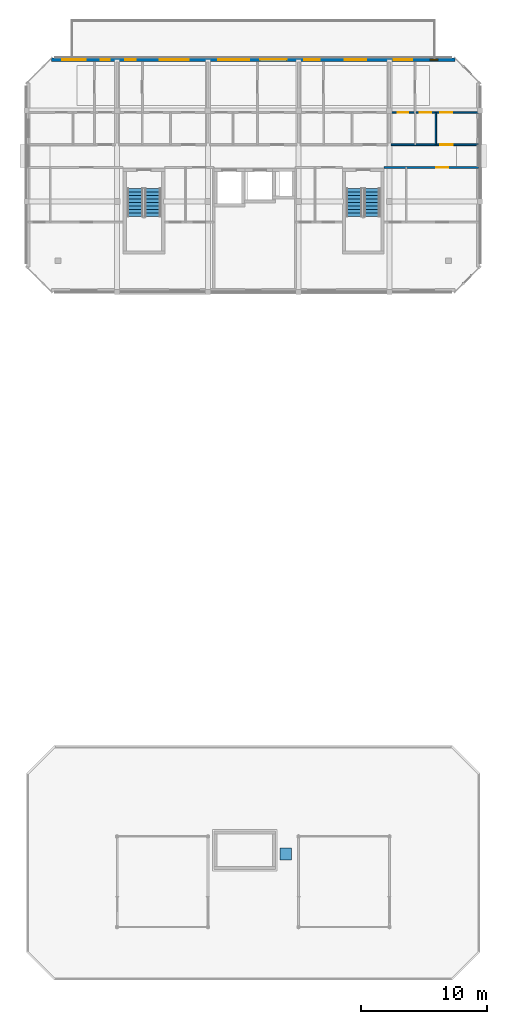
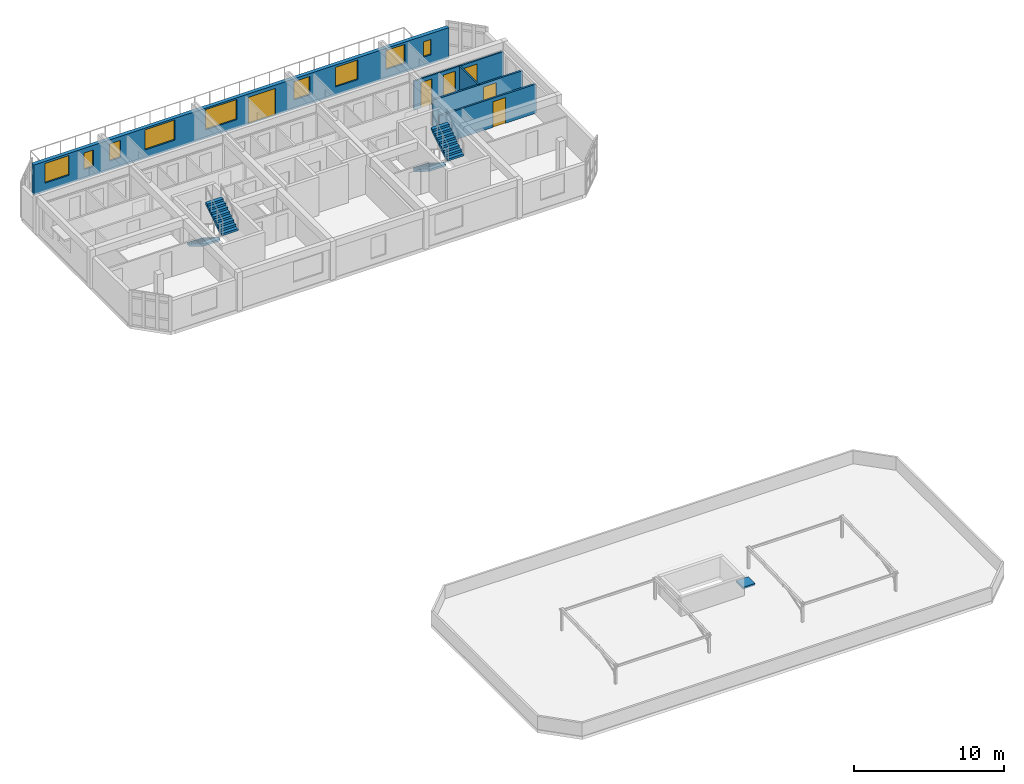
# One storey, part 13 of 16: 9 windows, 6 doors, 5 walls, 4 stair flights, 1 discrete accessory, 15 openings, 2 elements without a shape of their own.
"""IFC4 building model written with IfcOpenShell, lengths in metres."""

from ifc_helpers import new_model, si_unit, direction, frame, frame_2d, origin, origin_2d, place, context, subcontext, project, spatial, polyline, rectangle, outline, extrude, material, layer, layer_set, type_object, element, fill, aggregate, save


model = new_model("IFC4")

# Units and contexts
model_context = context("Model", 3, precision=1e-05, world=origin(), true_north=direction((0.0, 1.0)))
body_context = subcontext(model_context, "Body", "Model", "MODEL_VIEW")
ifc_project = project(units=[si_unit("LENGTHUNIT", "METRE"), si_unit("AREAUNIT", "SQUARE_METRE"), si_unit("VOLUMEUNIT", "CUBIC_METRE"), si_unit("PLANEANGLEUNIT", "RADIAN"), si_unit("MASSUNIT", "GRAM", prefix="KILO")], contexts=[model_context])

# Site, building, storey
site_placement = place(None, origin())
site = spatial("IfcSite", under=ifc_project, at=site_placement, CompositionType="ELEMENT")
building_placement = place(site_placement, origin())
building = spatial("IfcBuilding", under=site, at=building_placement, Name="Ochrevale Crest", CompositionType="ELEMENT")
storey_placement = place(building_placement, frame((0.0, 0.0, 46.5)))
storey = spatial("IfcBuildingStorey", under=building, at=storey_placement, Name="L14", CompositionType="ELEMENT", Elevation=46.5)

# Wall, opening, door
ifc_material_1 = material(Name="Gypsum plasterboard", Category="gypsum")
ifc_layer_1 = layer(ifc_material_1, 0.139892578125)
ifc_layer_set_1 = layer_set([ifc_layer_1], Name="Gypsum plasterboard")
wall_type_1 = type_object("IfcWallType", Name="WL-COR-140", PredefinedType="PARTITIONING", material=ifc_layer_set_1)
wall_1_placement = place(storey_placement, frame((158.5400390625, 83.699951171875, 0.0), z_axis=(0.0, 0.0, 1.0), x_axis=(1.0, 0.0, 0.0)))
wall_1 = element("IfcWall", 1, at=wall_1_placement, inside=storey, type_object=wall_type_1, Name="Apartment D-L14-U5 corridor wall", PredefinedType="PARTITIONING", context=body_context, shape_type="SweptSolid", body=[
    extrude(rectangle(XDim=6.919921875, YDim=0.139892578125, at=frame_2d((3.4599609375, 0.0))), origin(), (0.0, 0.0, 1.0), 2.3798828125),
])
opening_1_placement = place(wall_1_placement, frame((4.875, 0.0, 0.0), z_axis=(0.0, 0.0, 1.0), x_axis=(-1.0, 0.0, 0.0)))
opening_1 = element("IfcOpeningElement", 2, at=opening_1_placement, cuts=wall_1, Name="Opening FD01", PredefinedType="OPENING", context=body_context, shape_type="SweptSolid", body=[
    extrude(rectangle(XDim=0.97998046875, YDim=2.10009765625, at=frame_2d((0.489990234375, 1.050048828125))), frame((0.0, 0.080078125, 0.0), z_axis=(0.0, -1.0, 0.0), x_axis=(1.0, 0.0, 0.0)), (0.0, 0.0, 1.0), 0.159912109375),
])
ifc_material_2 = material(Name="Solid-core FSC hardwood", Category="wood")
door_type_1 = type_object("IfcDoorType", Name="DR-APT-950", OperationType="NOTDEFINED", PredefinedType="DOOR", material=ifc_material_2)
door_1_placement = place(opening_1_placement, origin())
door_1 = element("IfcDoor", 3, at=door_1_placement, inside=storey, type_object=door_type_1, Name="Apartment D-L14-U5 entrance door", OperationType="SINGLE_SWING_RIGHT", OverallHeight=2.10009765625, OverallWidth=0.97998046875, PredefinedType="DOOR", context=body_context, shape_type="SweptSolid", body=[
    extrude(rectangle(XDim=0.97998046875, YDim=2.10009765625, at=frame_2d((0.489990234375, 1.050048828125))), frame((0.0, 0.02490234375, 0.0), z_axis=(0.0, -1.0, 0.0), x_axis=(1.0, 0.0, 0.0)), (0.0, 0.0, 1.0), 0.050048828125),
])
fill(opening_1, door_1)

wall_2_placement = place(storey_placement, frame((157.989990234375, 81.89990234375, 0.0), z_axis=(0.0, 0.0, 1.0), x_axis=(1.0, 0.0, 0.0)))
wall_2 = element("IfcWall", 4, at=wall_2_placement, inside=storey, type_object=wall_type_1, Name="Suite D-L14-CE corridor wall", PredefinedType="PARTITIONING", context=body_context, shape_type="SweptSolid", body=[
    extrude(rectangle(XDim=7.469970703125, YDim=0.139892578125, at=frame_2d((3.73486328125, 0.0))), origin(), (0.0, 0.0, 1.0), 2.3798828125),
])
opening_2_placement = place(wall_2_placement, frame((5.10009765625, 0.0, 0.0), z_axis=(0.0, 0.0, 1.0), x_axis=(-1.0, 0.0, 0.0)))
opening_2 = element("IfcOpeningElement", 5, at=opening_2_placement, cuts=wall_2, Name="Opening FD01", PredefinedType="OPENING", context=body_context, shape_type="SweptSolid", body=[
    extrude(rectangle(XDim=0.97998046875, YDim=2.10009765625, at=frame_2d((0.489990234375, 1.050048828125))), frame((0.0, 0.080078125, 0.0), z_axis=(0.0, -1.0, 0.0), x_axis=(1.0, 0.0, 0.0)), (0.0, 0.0, 1.0), 0.159912109375),
])
door_2_placement = place(opening_2_placement, origin())
door_2 = element("IfcDoor", 6, at=door_2_placement, inside=storey, type_object=door_type_1, Name="Suite D-L14-CE entrance door", OperationType="SINGLE_SWING_RIGHT", OverallHeight=2.10009765625, OverallWidth=0.97998046875, PredefinedType="DOOR", context=body_context, shape_type="SweptSolid", body=[
    extrude(rectangle(XDim=0.97998046875, YDim=2.10009765625, at=frame_2d((0.489990234375, 1.050048828125))), frame((0.0, 0.02490234375, 0.0), z_axis=(0.0, -1.0, 0.0), x_axis=(1.0, 0.0, 0.0)), (0.0, 0.0, 1.0), 0.050048828125),
])
fill(opening_2, door_2)

# Wall, openings, door, windows
ifc_material_3 = material(Name="Clay face brickwork", Category="masonry")
ifc_layer_2 = layer(ifc_material_3, 0.2900390625)
ifc_layer_set_2 = layer_set([ifc_layer_2], Name="Clay face brickwork")
wall_type_2 = type_object("IfcWallType", Name="WL-EXT-BRICK-290", PredefinedType="SOLIDWALL", material=ifc_layer_set_2)
wall_3_placement = place(storey_placement, frame((163.60009765625, 90.455078125, 0.0), z_axis=(0.0, 0.0, 1.0), x_axis=(-1.0, 0.0, 0.0)))
wall_3 = element("IfcWall", 7, at=wall_3_placement, inside=storey, type_object=wall_type_2, Name="Block D L14 external facade wall E5", PredefinedType="SOLIDWALL", context=body_context, shape_type="SweptSolid", body=[
    extrude(rectangle(XDim=32.0, YDim=0.2900390625, at=frame_2d((16.0, 0.0))), origin(), (0.0, 0.0, 1.0), 2.47998046875),
])
opening_3_placement = place(wall_3_placement, frame((15.4501953125, 0.0, 0.0), z_axis=(0.0, 0.0, 1.0), x_axis=(-1.0, 0.0, 0.0)))
opening_3 = element("IfcOpeningElement", 8, at=opening_3_placement, cuts=wall_3, Name="Opening TD02", PredefinedType="OPENING", context=body_context, shape_type="SweptSolid", body=[
    extrude(rectangle(XDim=2.10009765625, YDim=2.199951171875, at=frame_2d((1.050048828125, 1.10009765625))), frame((0.0, 0.155029296875, 0.0), z_axis=(0.0, -1.0, 0.0), x_axis=(1.0, 0.0, 0.0)), (0.0, 0.0, 1.0), 0.31005859375),
])
opening_4_placement = place(wall_3_placement, frame((29.284912109375, 0.0, 0.699951171875)))
opening_4 = element("IfcOpeningElement", 9, at=opening_4_placement, cuts=wall_3, Name="Opening W11", PredefinedType="OPENING", context=body_context, shape_type="SweptSolid", body=[
    extrude(rectangle(XDim=1.860107421875, YDim=1.60009765625, at=frame_2d((0.93017578125, 0.800048828125))), frame((0.0, 0.155029296875, 0.0), z_axis=(0.0, -1.0, 0.0), x_axis=(1.0, 0.0, 0.0)), (0.0, 0.0, 1.0), 0.31005859375),
])
opening_5_placement = place(wall_3_placement, frame((27.405029296875, 0.0, 0.75)))
opening_5 = element("IfcOpeningElement", 10, at=opening_5_placement, cuts=wall_3, Name="Opening W02", PredefinedType="OPENING", context=body_context, shape_type="SweptSolid", body=[
    extrude(rectangle(XDim=0.719970703125, YDim=1.35009765625, at=frame_2d((0.35986328125, 0.675048828125))), frame((0.0, 0.155029296875, 0.0), z_axis=(0.0, -1.0, 0.0), x_axis=(1.0, 0.0, 0.0)), (0.0, 0.0, 1.0), 0.31005859375),
])
opening_6_placement = place(wall_3_placement, frame((25.31005859375, 0.0, 0.75)))
opening_6 = element("IfcOpeningElement", 11, at=opening_6_placement, cuts=wall_3, Name="Opening W03", PredefinedType="OPENING", context=body_context, shape_type="SweptSolid", body=[
    extrude(rectangle(XDim=0.85009765625, YDim=1.39990234375, at=frame_2d((0.425048828125, 0.699951171875))), frame((0.0, 0.155029296875, 0.0), z_axis=(0.0, -1.0, 0.0), x_axis=(1.0, 0.0, 0.0)), (0.0, 0.0, 1.0), 0.31005859375),
])
opening_7_placement = place(wall_3_placement, frame((21.125, 0.0, 0.699951171875)))
opening_7 = element("IfcOpeningElement", 12, at=opening_7_placement, cuts=wall_3, Name="Opening W14", PredefinedType="OPENING", context=body_context, shape_type="SweptSolid", body=[
    extrude(rectangle(XDim=2.300048828125, YDim=1.64990234375, at=frame_2d((1.14990234375, 0.824951171875))), frame((0.0, 0.155029296875, 0.0), z_axis=(0.0, -1.0, 0.0), x_axis=(1.0, 0.0, 0.0)), (0.0, 0.0, 1.0), 0.31005859375),
])
opening_8_placement = place(wall_3_placement, frame((16.3349609375, 0.0, 0.699951171875)))
opening_8 = element("IfcOpeningElement", 13, at=opening_8_placement, cuts=wall_3, Name="Opening W15", PredefinedType="OPENING", context=body_context, shape_type="SweptSolid", body=[
    extrude(rectangle(XDim=2.449951171875, YDim=1.64990234375, at=frame_2d((1.22509765625, 0.824951171875))), frame((0.0, 0.155029296875, 0.0), z_axis=(0.0, -1.0, 0.0), x_axis=(1.0, 0.0, 0.0)), (0.0, 0.0, 1.0), 0.31005859375),
])
opening_9_placement = place(wall_3_placement, frame((10.72509765625, 0.0, 0.75)))
opening_9 = element("IfcOpeningElement", 14, at=opening_9_placement, cuts=wall_3, Name="Opening W06", PredefinedType="OPENING", context=body_context, shape_type="SweptSolid", body=[
    extrude(rectangle(XDim=1.219970703125, YDim=1.5, at=frame_2d((0.60986328125, 0.75))), frame((0.0, 0.155029296875, 0.0), z_axis=(0.0, -1.0, 0.0), x_axis=(1.0, 0.0, 0.0)), (0.0, 0.0, 1.0), 0.31005859375),
])
opening_10_placement = place(wall_3_placement, frame((7.014892578125, 0.0, 0.699951171875)))
opening_10 = element("IfcOpeningElement", 15, at=opening_10_placement, cuts=wall_3, Name="Opening W10", PredefinedType="OPENING", context=body_context, shape_type="SweptSolid", body=[
    extrude(rectangle(XDim=1.719970703125, YDim=1.60009765625, at=frame_2d((0.85986328125, 0.800048828125))), frame((0.0, 0.155029296875, 0.0), z_axis=(0.0, -1.0, 0.0), x_axis=(1.0, 0.0, 0.0)), (0.0, 0.0, 1.0), 0.31005859375),
])
opening_11_placement = place(wall_3_placement, frame((3.375, 0.0, 0.75)))
opening_11 = element("IfcOpeningElement", 16, at=opening_11_placement, cuts=wall_3, Name="Opening W08", PredefinedType="OPENING", context=body_context, shape_type="SweptSolid", body=[
    extrude(rectangle(XDim=1.4599609375, YDim=1.550048828125, at=frame_2d((0.72998046875, 0.77490234375))), frame((0.0, 0.155029296875, 0.0), z_axis=(0.0, -1.0, 0.0), x_axis=(1.0, 0.0, 0.0)), (0.0, 0.0, 1.0), 0.31005859375),
])
opening_12_placement = place(wall_3_placement, frame((1.35498046875, 0.0, 0.75)))
opening_12 = element("IfcOpeningElement", 17, at=opening_12_placement, cuts=wall_3, Name="Opening W01", PredefinedType="OPENING", context=body_context, shape_type="SweptSolid", body=[
    extrude(rectangle(XDim=0.60009765625, YDim=1.25, at=frame_2d((0.300048828125, 0.625))), frame((0.0, 0.155029296875, 0.0), z_axis=(0.0, -1.0, 0.0), x_axis=(1.0, 0.0, 0.0)), (0.0, 0.0, 1.0), 0.31005859375),
])
ifc_material_4 = material(Name="Anodised aluminium 6063-T5 and toughened glass", Category="aluminium")
door_type_2 = type_object("IfcDoorType", Name="DR-TER-2100", OperationType="NOTDEFINED", PredefinedType="DOOR", material=ifc_material_4)
door_3_placement = place(opening_3_placement, origin())
door_3 = element("IfcDoor", 18, at=door_3_placement, inside=storey, type_object=door_type_2, Name="Block D L14 roof-terrace double glazed door", OperationType="DOUBLE_DOOR_SINGLE_SWING", OverallHeight=2.199951171875, OverallWidth=2.10009765625, PredefinedType="DOOR", context=body_context, shape_type="SweptSolid", body=[
    extrude(rectangle(XDim=2.10009765625, YDim=2.199951171875, at=frame_2d((1.050048828125, 1.10009765625))), frame((0.0, 0.02490234375, 0.0), z_axis=(0.0, -1.0, 0.0), x_axis=(1.0, 0.0, 0.0)), (0.0, 0.0, 1.0), 0.050048828125),
])
fill(opening_3, door_3)
ifc_material_5 = material(Name="Anodised aluminium 6063-T5 and low-E double glazing", Category="aluminium")
window_type_1 = type_object("IfcWindowType", Name="WIN-W01", PartitioningType="SINGLE_PANEL", PredefinedType="WINDOW", material=ifc_material_5)
window_1_placement = place(opening_12_placement, origin())
window_1 = element("IfcWindow", 19, at=window_1_placement, inside=storey, type_object=window_type_1, Name="Block D L14 Apartment D-L14-U5 One Bedroom Living Room window", OverallHeight=1.25, OverallWidth=0.60009765625, PartitioningType="SINGLE_PANEL", PredefinedType="WINDOW", context=body_context, shape_type="SweptSolid", body=[
    extrude(rectangle(XDim=0.60009765625, YDim=1.25, at=frame_2d((0.300048828125, 0.625))), frame((0.0, 0.030029296875, 0.0), z_axis=(0.0, -1.0, 0.0), x_axis=(1.0, 0.0, 0.0)), (0.0, 0.0, 1.0), 0.06005859375),
])
fill(opening_12, window_1)
window_type_2 = type_object("IfcWindowType", Name="WIN-W02", PartitioningType="SINGLE_PANEL", PredefinedType="WINDOW", material=ifc_material_5)
window_2_placement = place(opening_5_placement, origin())
window_2 = element("IfcWindow", 20, at=window_2_placement, inside=storey, type_object=window_type_2, Name="Block D L14 Apartment D-L14-U1 One Bedroom Living Room window", OverallHeight=1.35009765625, OverallWidth=0.719970703125, PartitioningType="SINGLE_PANEL", PredefinedType="WINDOW", context=body_context, shape_type="SweptSolid", body=[
    extrude(rectangle(XDim=0.719970703125, YDim=1.35009765625, at=frame_2d((0.35986328125, 0.675048828125))), frame((0.0, 0.030029296875, 0.0), z_axis=(0.0, -1.0, 0.0), x_axis=(1.0, 0.0, 0.0)), (0.0, 0.0, 1.0), 0.06005859375),
])
fill(opening_5, window_2)
window_type_3 = type_object("IfcWindowType", Name="WIN-W03", PartitioningType="SINGLE_PANEL", PredefinedType="WINDOW", material=ifc_material_5)
window_3_placement = place(opening_6_placement, origin())
window_3 = element("IfcWindow", 21, at=window_3_placement, inside=storey, type_object=window_type_3, Name="Block D L14 Apartment D-L14-U2 Twin Bedroom window", OverallHeight=1.39990234375, OverallWidth=0.85009765625, PartitioningType="SINGLE_PANEL", PredefinedType="WINDOW", context=body_context, shape_type="SweptSolid", body=[
    extrude(rectangle(XDim=0.85009765625, YDim=1.39990234375, at=frame_2d((0.425048828125, 0.699951171875))), frame((0.0, 0.030029296875, 0.0), z_axis=(0.0, -1.0, 0.0), x_axis=(1.0, 0.0, 0.0)), (0.0, 0.0, 1.0), 0.06005859375),
])
fill(opening_6, window_3)
window_type_4 = type_object("IfcWindowType", Name="WIN-W06", PartitioningType="SINGLE_PANEL", PredefinedType="WINDOW", material=ifc_material_5)
window_4_placement = place(opening_9_placement, origin())
window_4 = element("IfcWindow", 22, at=window_4_placement, inside=storey, type_object=window_type_4, Name="Block D L14 Apartment D-L14-U4 Master Bedroom window", OverallHeight=1.5, OverallWidth=1.219970703125, PartitioningType="SINGLE_PANEL", PredefinedType="WINDOW", context=body_context, shape_type="SweptSolid", body=[
    extrude(rectangle(XDim=1.219970703125, YDim=1.5, at=frame_2d((0.60986328125, 0.75))), frame((0.0, 0.030029296875, 0.0), z_axis=(0.0, -1.0, 0.0), x_axis=(1.0, 0.0, 0.0)), (0.0, 0.0, 1.0), 0.06005859375),
])
fill(opening_9, window_4)
window_type_5 = type_object("IfcWindowType", Name="WIN-W08", PartitioningType="SINGLE_PANEL", PredefinedType="WINDOW", material=ifc_material_5)
window_5_placement = place(opening_11_placement, origin())
window_5 = element("IfcWindow", 23, at=window_5_placement, inside=storey, type_object=window_type_5, Name="Block D L14 Apartment D-L14-U5 Master Bedroom window", OverallHeight=1.550048828125, OverallWidth=1.4599609375, PartitioningType="SINGLE_PANEL", PredefinedType="WINDOW", context=body_context, shape_type="SweptSolid", body=[
    extrude(rectangle(XDim=1.4599609375, YDim=1.550048828125, at=frame_2d((0.72998046875, 0.77490234375))), frame((0.0, 0.030029296875, 0.0), z_axis=(0.0, -1.0, 0.0), x_axis=(1.0, 0.0, 0.0)), (0.0, 0.0, 1.0), 0.06005859375),
])
fill(opening_11, window_5)
window_type_6 = type_object("IfcWindowType", Name="WIN-W10", PartitioningType="SINGLE_PANEL", PredefinedType="WINDOW", material=ifc_material_5)
window_6_placement = place(opening_10_placement, origin())
window_6 = element("IfcWindow", 24, at=window_6_placement, inside=storey, type_object=window_type_6, Name="Block D L14 Apartment D-L14-U4 One Bedroom Living Room window", OverallHeight=1.60009765625, OverallWidth=1.719970703125, PartitioningType="SINGLE_PANEL", PredefinedType="WINDOW", context=body_context, shape_type="SweptSolid", body=[
    extrude(rectangle(XDim=1.719970703125, YDim=1.60009765625, at=frame_2d((0.85986328125, 0.800048828125))), frame((0.0, 0.030029296875, 0.0), z_axis=(0.0, -1.0, 0.0), x_axis=(1.0, 0.0, 0.0)), (0.0, 0.0, 1.0), 0.06005859375),
])
fill(opening_10, window_6)
window_type_7 = type_object("IfcWindowType", Name="WIN-W11", PartitioningType="SINGLE_PANEL", PredefinedType="WINDOW", material=ifc_material_5)
window_7_placement = place(opening_4_placement, origin())
window_7 = element("IfcWindow", 25, at=window_7_placement, inside=storey, type_object=window_type_7, Name="Block D L14 Apartment D-L14-U1 Master Bedroom window", OverallHeight=1.60009765625, OverallWidth=1.860107421875, PartitioningType="SINGLE_PANEL", PredefinedType="WINDOW", context=body_context, shape_type="SweptSolid", body=[
    extrude(rectangle(XDim=1.860107421875, YDim=1.60009765625, at=frame_2d((0.93017578125, 0.800048828125))), frame((0.0, 0.030029296875, 0.0), z_axis=(0.0, -1.0, 0.0), x_axis=(1.0, 0.0, 0.0)), (0.0, 0.0, 1.0), 0.06005859375),
])
fill(opening_4, window_7)
window_type_8 = type_object("IfcWindowType", Name="WIN-W14", PartitioningType="SINGLE_PANEL", PredefinedType="WINDOW", material=ifc_material_5)
window_8_placement = place(opening_7_placement, origin())
window_8 = element("IfcWindow", 26, at=window_8_placement, inside=storey, type_object=window_type_8, Name="Block D L14 Apartment D-L14-U2 Three Bedroom Family Living window", OverallHeight=1.64990234375, OverallWidth=2.300048828125, PartitioningType="SINGLE_PANEL", PredefinedType="WINDOW", context=body_context, shape_type="SweptSolid", body=[
    extrude(rectangle(XDim=2.300048828125, YDim=1.64990234375, at=frame_2d((1.14990234375, 0.824951171875))), frame((0.0, 0.030029296875, 0.0), z_axis=(0.0, -1.0, 0.0), x_axis=(1.0, 0.0, 0.0)), (0.0, 0.0, 1.0), 0.06005859375),
])
fill(opening_7, window_8)
window_type_9 = type_object("IfcWindowType", Name="WIN-W15", PartitioningType="SINGLE_PANEL", PredefinedType="WINDOW", material=ifc_material_5)
window_9_placement = place(opening_8_placement, origin())
window_9 = element("IfcWindow", 27, at=window_9_placement, inside=storey, type_object=window_type_9, Name="Block D L14 Apartment D-L14-U3 Double Bedroom window", OverallHeight=1.64990234375, OverallWidth=2.449951171875, PartitioningType="SINGLE_PANEL", PredefinedType="WINDOW", context=body_context, shape_type="SweptSolid", body=[
    extrude(rectangle(XDim=2.449951171875, YDim=1.64990234375, at=frame_2d((1.22509765625, 0.824951171875))), frame((0.0, 0.030029296875, 0.0), z_axis=(0.0, -1.0, 0.0), x_axis=(1.0, 0.0, 0.0)), (0.0, 0.0, 1.0), 0.06005859375),
])
fill(opening_8, window_9)

# Wall
ifc_layer_3 = layer(ifc_material_1, 0.1201171875)
ifc_layer_set_3 = layer_set([ifc_layer_3], Name="Gypsum plasterboard")
wall_type_3 = type_object("IfcWallType", Name="WL-PART-120", PredefinedType="PARTITIONING", material=ifc_layer_set_3)
wall_4_placement = place(storey_placement, frame((162.10009765625, 83.699951171875, 0.0), z_axis=(0.0, 0.0, 1.0), x_axis=(0.0, 1.0, 0.0)))
element("IfcWall", 28, at=wall_4_placement, inside=storey, type_object=wall_type_3, Name="Apartment D-L14-U5 kitchen-foyer wall", PredefinedType="PARTITIONING", context=body_context, shape_type="SweptSolid", body=[
    extrude(rectangle(XDim=2.550048828125, YDim=0.1201171875, at=frame_2d((1.27490234375, 0.0))), origin(), (0.0, 0.0, 1.0), 2.3798828125),
])

# Wall, openings, doors
wall_5_placement = place(storey_placement, frame((158.5400390625, 86.25, 0.0), z_axis=(0.0, 0.0, 1.0), x_axis=(1.0, 0.0, 0.0)))
wall_5 = element("IfcWall", 29, at=wall_5_placement, inside=storey, type_object=wall_type_3, Name="Apartment D-L14-U5 central partition", PredefinedType="PARTITIONING", context=body_context, shape_type="SweptSolid", body=[
    extrude(rectangle(XDim=6.919921875, YDim=0.1201171875, at=frame_2d((3.4599609375, 0.0))), origin(), (0.0, 0.0, 1.0), 2.3798828125),
])
opening_13_placement = place(wall_5_placement, frame((0.530029296875, 0.0, 0.0)))
opening_13 = element("IfcOpeningElement", 30, at=opening_13_placement, cuts=wall_5, Name="Opening ID01", PredefinedType="OPENING", context=body_context, shape_type="SweptSolid", body=[
    extrude(rectangle(XDim=0.85009765625, YDim=2.080078125, at=frame_2d((0.425048828125, 1.0400390625))), frame((0.0, 0.070068359375, 0.0), z_axis=(0.0, -1.0, 0.0), x_axis=(1.0, 0.0, 0.0)), (0.0, 0.0, 1.0), 0.14013671875),
])
opening_14_placement = place(wall_5_placement, frame((3.184814453125, 0.0, 0.0), z_axis=(0.0, 0.0, 1.0), x_axis=(-1.0, 0.0, 0.0)))
opening_14 = element("IfcOpeningElement", 31, at=opening_14_placement, cuts=wall_5, Name="Opening ID02", PredefinedType="OPENING", context=body_context, shape_type="SweptSolid", body=[
    extrude(rectangle(XDim=0.89990234375, YDim=2.080078125, at=frame_2d((0.449951171875, 1.0400390625))), frame((0.0, 0.070068359375, 0.0), z_axis=(0.0, -1.0, 0.0), x_axis=(1.0, 0.0, 0.0)), (0.0, 0.0, 1.0), 0.14013671875),
])
opening_15_placement = place(wall_5_placement, frame((3.909912109375, 0.0, 0.0)))
opening_15 = element("IfcOpeningElement", 32, at=opening_15_placement, cuts=wall_5, Name="Opening ID06", PredefinedType="OPENING", context=body_context, shape_type="SweptSolid", body=[
    extrude(rectangle(XDim=0.949951171875, YDim=2.080078125, at=frame_2d((0.47509765625, 1.0400390625))), frame((0.0, 0.070068359375, 0.0), z_axis=(0.0, -1.0, 0.0), x_axis=(1.0, 0.0, 0.0)), (0.0, 0.0, 1.0), 0.14013671875),
])
door_type_3 = type_object("IfcDoorType", Name="DR-INT-900", OperationType="NOTDEFINED", PredefinedType="DOOR", material=ifc_material_2)
door_4_placement = place(opening_14_placement, origin())
door_4 = element("IfcDoor", 33, at=door_4_placement, inside=storey, type_object=door_type_3, Name="Apartment D-L14-U5 Kitchen door", OperationType="SINGLE_SWING_RIGHT", OverallHeight=2.080078125, OverallWidth=0.89990234375, PredefinedType="DOOR", context=body_context, shape_type="SweptSolid", body=[
    extrude(rectangle(XDim=0.89990234375, YDim=2.080078125, at=frame_2d((0.449951171875, 1.0400390625))), frame((0.0, 0.02490234375, 0.0), z_axis=(0.0, -1.0, 0.0), x_axis=(1.0, 0.0, 0.0)), (0.0, 0.0, 1.0), 0.050048828125),
])
fill(opening_14, door_4)
door_type_4 = type_object("IfcDoorType", Name="DR-INT-950", OperationType="NOTDEFINED", PredefinedType="DOOR", material=ifc_material_2)
door_5_placement = place(opening_15_placement, origin())
door_5 = element("IfcDoor", 34, at=door_5_placement, inside=storey, type_object=door_type_4, Name="Apartment D-L14-U5 Living Foyer door", OperationType="SINGLE_SWING_LEFT", OverallHeight=2.080078125, OverallWidth=0.949951171875, PredefinedType="DOOR", context=body_context, shape_type="SweptSolid", body=[
    extrude(rectangle(XDim=0.949951171875, YDim=2.080078125, at=frame_2d((0.47509765625, 1.0400390625))), frame((0.0, 0.02490234375, 0.0), z_axis=(0.0, -1.0, 0.0), x_axis=(1.0, 0.0, 0.0)), (0.0, 0.0, 1.0), 0.050048828125),
])
fill(opening_15, door_5)
door_type_5 = type_object("IfcDoorType", Name="DR-WC-850", OperationType="NOTDEFINED", PredefinedType="DOOR", material=ifc_material_2)
door_6_placement = place(opening_13_placement, origin())
door_6 = element("IfcDoor", 35, at=door_6_placement, inside=storey, type_object=door_type_5, Name="Apartment D-L14-U5 Bathroom door", OperationType="SINGLE_SWING_LEFT", OverallHeight=2.080078125, OverallWidth=0.85009765625, PredefinedType="DOOR", context=body_context, shape_type="SweptSolid", body=[
    extrude(rectangle(XDim=0.85009765625, YDim=2.080078125, at=frame_2d((0.425048828125, 1.0400390625))), frame((0.0, 0.02490234375, 0.0), z_axis=(0.0, -1.0, 0.0), x_axis=(1.0, 0.0, 0.0)), (0.0, 0.0, 1.0), 0.050048828125),
])
fill(opening_13, door_6)

# Stair, stair flights
ifc_material_6 = material(Name="Precast concrete C40/50", Category="concrete")
stair_type = type_object("IfcStairType", Name="ST-CORE-DOG", PredefinedType="HALF_TURN_STAIR", material=ifc_material_6)
stair_1_placement = place(storey_placement, origin())
stair_1 = element("IfcStair", 36, at=stair_1_placement, inside=storey, type_object=stair_type, Name="L14 Block D Fire Stair 1", PredefinedType="HALF_TURN_STAIR")
stair_flight_type = type_object("IfcStairFlightType", Name="SFL-CORE-125", PredefinedType="STRAIGHT", material=ifc_material_6)
stair_flight_1_placement = place(storey_placement, frame((138.22509765625, 80.22509765625, 0.0), z_axis=(0.0, 0.0, 1.0), x_axis=(0.0, -1.0, 0.0)))
stair_flight_1 = element("IfcStairFlight", 37, at=stair_flight_1_placement, type_object=stair_flight_type, Name="ST-D1 flight 1", NumberOfRisers=9, NumberOfTreads=8, PredefinedType="STRAIGHT", RiserHeight=0.175, TreadLength=0.28, context=body_context, shape_type="SweptSolid", body=[
    extrude(outline(polyline([(0.0, 0.0), (0.0, 0.175048828125), (0.280029296875, 0.175048828125), (0.280029296875, 0.35009765625), (0.56005859375, 0.35009765625), (0.56005859375, 0.52490234375), (0.840087890625, 0.52490234375), (0.840087890625, 0.699951171875), (1.1201171875, 0.699951171875), (1.1201171875, 0.875), (1.39990234375, 0.875), (1.39990234375, 1.050048828125), (1.679931640625, 1.050048828125), (1.679931640625, 1.22509765625), (1.9599609375, 1.22509765625), (1.9599609375, 1.39990234375), (2.239990234375, 1.39990234375), (2.239990234375, 1.574951171875), (2.239990234375, 1.22314453125), (0.28271484375, 0.0), (0.0, 0.0)])), frame((0.0, 0.625, 0.0), z_axis=(0.0, -1.0, 0.0), x_axis=(1.0, 0.0, 0.0)), (0.0, 0.0, 1.0), 1.25),
])
stair_flight_2_placement = place(storey_placement, frame((139.625, 77.985107421875, 1.574951171875), z_axis=(0.0, 0.0, 1.0), x_axis=(0.0, 1.0, 0.0)))
stair_flight_2 = element("IfcStairFlight", 38, at=stair_flight_2_placement, type_object=stair_flight_type, Name="ST-D1 flight 2", NumberOfRisers=9, NumberOfTreads=8, PredefinedType="STRAIGHT", RiserHeight=0.175, TreadLength=0.28, context=body_context, shape_type="SweptSolid", body=[
    extrude(outline(polyline([(0.0, 0.0), (0.0, 0.175048828125), (0.280029296875, 0.175048828125), (0.280029296875, 0.35009765625), (0.56005859375, 0.35009765625), (0.56005859375, 0.52490234375), (0.840087890625, 0.52490234375), (0.840087890625, 0.699951171875), (1.1201171875, 0.699951171875), (1.1201171875, 0.875), (1.39990234375, 0.875), (1.39990234375, 1.050048828125), (1.679931640625, 1.050048828125), (1.679931640625, 1.22509765625), (1.9599609375, 1.22509765625), (1.9599609375, 1.39990234375), (2.239990234375, 1.39990234375), (2.239990234375, 1.574951171875), (2.239990234375, 1.22314453125), (0.28271484375, 0.0), (0.0, 0.0)])), frame((0.0, 0.625, 0.0), z_axis=(0.0, -1.0, 0.0), x_axis=(1.0, 0.0, 0.0)), (0.0, 0.0, 1.0), 1.25),
])
aggregate(stair_1, [stair_flight_1, stair_flight_2])

stair_2_placement = place(storey_placement, origin())
stair_2 = element("IfcStair", 39, at=stair_2_placement, inside=storey, type_object=stair_type, Name="L14 Block D Fire Stair 2", PredefinedType="HALF_TURN_STAIR")
stair_flight_3_placement = place(storey_placement, frame((155.625, 80.22509765625, 0.0), z_axis=(0.0, 0.0, 1.0), x_axis=(0.0, -1.0, 0.0)))
stair_flight_3 = element("IfcStairFlight", 40, at=stair_flight_3_placement, type_object=stair_flight_type, Name="ST-D2 flight 1", NumberOfRisers=9, NumberOfTreads=8, PredefinedType="STRAIGHT", RiserHeight=0.175, TreadLength=0.28, context=body_context, shape_type="SweptSolid", body=[
    extrude(outline(polyline([(0.0, 0.0), (0.0, 0.175048828125), (0.280029296875, 0.175048828125), (0.280029296875, 0.35009765625), (0.56005859375, 0.35009765625), (0.56005859375, 0.52490234375), (0.840087890625, 0.52490234375), (0.840087890625, 0.699951171875), (1.1201171875, 0.699951171875), (1.1201171875, 0.875), (1.39990234375, 0.875), (1.39990234375, 1.050048828125), (1.679931640625, 1.050048828125), (1.679931640625, 1.22509765625), (1.9599609375, 1.22509765625), (1.9599609375, 1.39990234375), (2.239990234375, 1.39990234375), (2.239990234375, 1.574951171875), (2.239990234375, 1.22314453125), (0.28271484375, 0.0), (0.0, 0.0)])), frame((0.0, 0.625, 0.0), z_axis=(0.0, -1.0, 0.0), x_axis=(1.0, 0.0, 0.0)), (0.0, 0.0, 1.0), 1.25),
])
stair_flight_4_placement = place(storey_placement, frame((157.02490234375, 77.985107421875, 1.574951171875), z_axis=(0.0, 0.0, 1.0), x_axis=(0.0, 1.0, 0.0)))
stair_flight_4 = element("IfcStairFlight", 41, at=stair_flight_4_placement, type_object=stair_flight_type, Name="ST-D2 flight 2", NumberOfRisers=9, NumberOfTreads=8, PredefinedType="STRAIGHT", RiserHeight=0.175, TreadLength=0.28, context=body_context, shape_type="SweptSolid", body=[
    extrude(outline(polyline([(0.0, 0.0), (0.0, 0.175048828125), (0.280029296875, 0.175048828125), (0.280029296875, 0.35009765625), (0.56005859375, 0.35009765625), (0.56005859375, 0.52490234375), (0.840087890625, 0.52490234375), (0.840087890625, 0.699951171875), (1.1201171875, 0.699951171875), (1.1201171875, 0.875), (1.39990234375, 0.875), (1.39990234375, 1.050048828125), (1.679931640625, 1.050048828125), (1.679931640625, 1.22509765625), (1.9599609375, 1.22509765625), (1.9599609375, 1.39990234375), (2.239990234375, 1.39990234375), (2.239990234375, 1.574951171875), (2.239990234375, 1.22314453125), (0.28271484375, 0.0), (0.0, 0.0)])), frame((0.0, 0.625, 0.0), z_axis=(0.0, -1.0, 0.0), x_axis=(1.0, 0.0, 0.0)), (0.0, 0.0, 1.0), 1.25),
])
aggregate(stair_2, [stair_flight_3, stair_flight_4])

# Discrete accessory
ifc_material_7 = material(Name="Galvanised steel", Category="steel")
discrete_accessory_type = type_object("IfcDiscreteAccessoryType", Name="ACC-ROOF-HATCH", PredefinedType="USERDEFINED", material=ifc_material_7)
discrete_accessory_placement = place(storey_placement, frame((150.175048828125, 27.39990234375, -0.0400390625), z_axis=(0.0, 0.0, 1.0), x_axis=(1.0, 0.0, 0.0)))
element("IfcDiscreteAccessory", 42, at=discrete_accessory_placement, inside=storey, type_object=discrete_accessory_type, Name="Block C L14 roof maintenance access hatch", ObjectType="ROOF_HATCH", PredefinedType="USERDEFINED", context=body_context, shape_type="SweptSolid", body=[
    extrude(rectangle(XDim=0.919921875, YDim=0.919921875, at=origin_2d()), origin(), (0.0, 0.0, 1.0), 0.159912109375),
])

save(model, "model.ifc")
